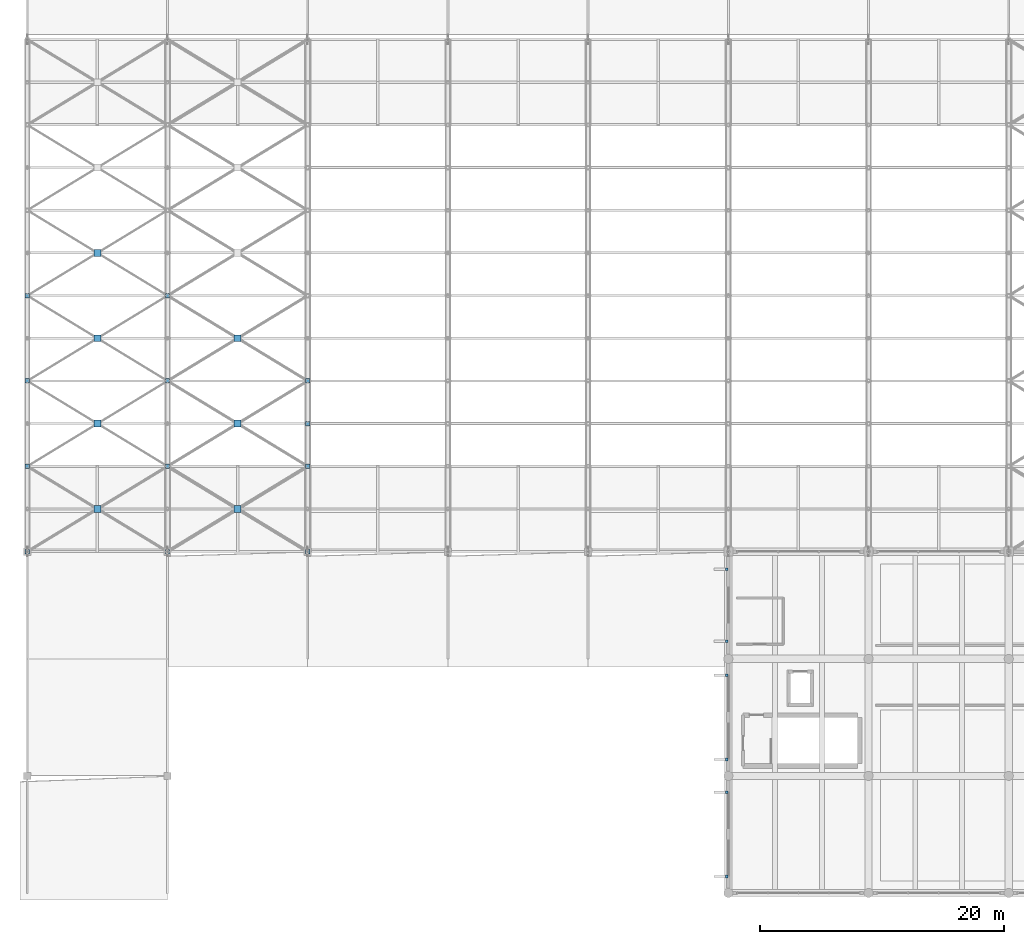
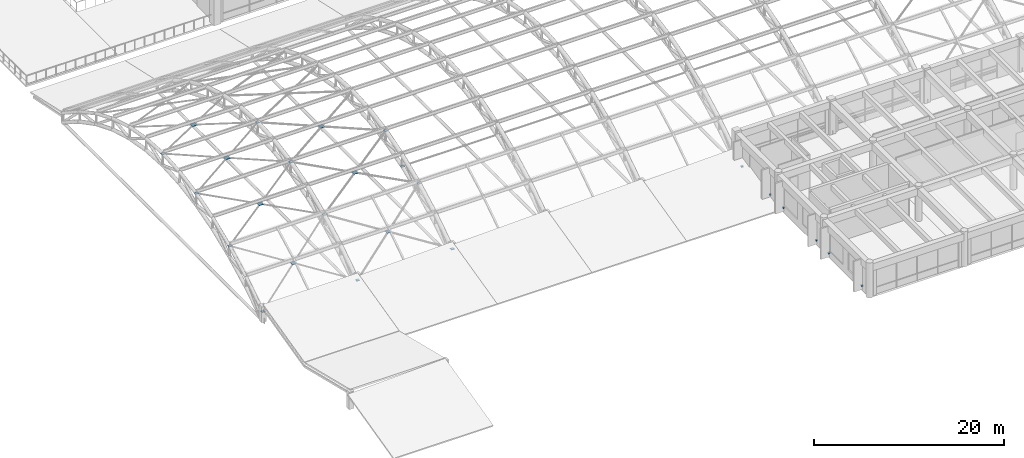
# One storey, part 144 of 154: 25 discrete accessories.
"""IFC4 building model written with IfcOpenShell, lengths in metres."""

from ifc_helpers import new_model, si_unit, direction, frame, origin, origin_2d, place, context, subcontext, project, spatial, rectangle, extrude, material, type_object, element, save


model = new_model("IFC4")

# Units and contexts
model_context = context("Model", 3, precision=1e-05, world=origin(), true_north=direction((0.0, 1.0)))
body_context = subcontext(model_context, "Body", "Model", "MODEL_VIEW")
ifc_project = project(units=[si_unit("LENGTHUNIT", "METRE"), si_unit("AREAUNIT", "SQUARE_METRE"), si_unit("VOLUMEUNIT", "CUBIC_METRE"), si_unit("PLANEANGLEUNIT", "RADIAN"), si_unit("MASSUNIT", "GRAM", prefix="KILO")], contexts=[model_context])

# Site, building, storey
site_placement = place(None, origin())
site = spatial("IfcSite", under=ifc_project, at=site_placement, CompositionType="ELEMENT")
building_placement = place(site_placement, origin())
building = spatial("IfcBuilding", under=site, at=building_placement, Name="Ologun Quay Terminus", CompositionType="ELEMENT")
storey_placement = place(building_placement, frame((0.0, 0.0, 13.800048828125)))
storey = spatial("IfcBuildingStorey", under=building, at=storey_placement, Name="L03", CompositionType="ELEMENT", Elevation=13.800048828125)

# Discrete accessories
ifc_material_1 = material(Name="Steel S355", Category="steel")
discrete_accessory_type_1 = type_object("IfcDiscreteAccessoryType", Name="Brace & Strut End Gusset Connection Plate 360x360x20", PredefinedType="BRACKET", material=ifc_material_1)
for number, where, z_axis, x_axis, name in (
    (1, (0.0, 36.0, 1.18994140625), (0.0, 0.0, 1.0), (1.0, 0.0, 0.0), "GUS-END Wind Brace End Gusset B1-K0-1"),
    (2, (11.5, 43.0, 5.36767578125), (0.0, 0.0, 1.0), (1.0, 0.0, 0.0), "GUS-END Wind Brace End Gusset B1-K0-2"),
    (3, (0.0, 43.0, 5.36767578125), (0.0, 0.0, 1.0), (1.0, 0.0, 0.0), "GUS-END Wind Brace End Gusset B1-K0-3"),
    (4, (11.5, 36.0, 1.18994140625), (0.0, 0.0, 1.0), (1.0, 0.0, 0.0), "GUS-END Wind Brace End Gusset B1-K0-4"),
    (5, (11.5, 50.0, 7.874267578125), (0.0, 0.0, 1.0), (1.0, 0.0, 0.0), "GUS-END Wind Brace End Gusset B1-K2-2"),
    (6, (0.0, 50.0, 7.874267578125), (0.0, 0.0, 1.0), (1.0, 0.0, 0.0), "GUS-END Wind Brace End Gusset B1-K2-3"),
    (7, (11.5, 57.0, 8.7099609375), (0.0, 0.0, 1.0), (1.0, 0.0, 0.0), "GUS-END Wind Brace End Gusset B1-K4-2"),
    (8, (0.0, 57.0, 8.7099609375), (0.0, 0.0, 1.0), (1.0, 0.0, 0.0), "GUS-END Wind Brace End Gusset B1-K4-3"),
    (9, (23.0, 43.0, 5.36767578125), (0.0, 0.0, 1.0), (1.0, 0.0, 0.0), "GUS-END Wind Brace End Gusset B2-K0-2"),
    (10, (23.0, 36.0, 1.18994140625), (0.0, 0.0, 1.0), (1.0, 0.0, 0.0), "GUS-END Wind Brace End Gusset B2-K0-4"),
    (11, (23.0, 50.0, 7.874267578125), (0.0, 0.0, 1.0), (1.0, 0.0, 0.0), "GUS-END Wind Brace End Gusset B2-K2-2"),
    (12, (23.0, 46.5, 5.419921875), (0.0, 0.0, 1.0), (1.0, 0.0, 0.0), "GUS-END Collector End Gusset B3-K3-W"),
):
    element("IfcDiscreteAccessory", number, at=place(storey_placement, frame(where, z_axis=z_axis, x_axis=x_axis)), inside=storey, type_object=discrete_accessory_type_1, Name=name, PredefinedType="BRACKET", context=body_context, shape_type="SweptSolid", body=[
        extrude(rectangle(XDim=0.360107421875, YDim=0.360107421875, at=origin_2d()), origin(), (0.0, 0.0, 1.0), 0.02001953125),
    ])
ifc_material_2 = material(Name="Steel S355", Category="steel")
discrete_accessory_type_2 = type_object("IfcDiscreteAccessoryType", Name="Solar Fin Stainless Support Bracket", PredefinedType="BRACKET", material=ifc_material_2)
for number, where, z_axis, x_axis, name in (
    (13, (57.360107421875, 9.344970703125, 0.52001953125), (0.0, 0.0, 1.0), (1.0, 0.0, 0.0), "BRK-01 Solar Fin Bracket WEW-SA-L03-1-16-1"),
    (14, (57.360107421875, 16.2548828125, 0.52001953125), (0.0, 0.0, 1.0), (1.0, 0.0, 0.0), "BRK-01 Solar Fin Bracket WEW-SA-L03-1-16-2"),
    (15, (57.360107421875, 18.945068359375, 0.52001953125), (0.0, 0.0, 1.0), (1.0, 0.0, 0.0), "BRK-01 Solar Fin Bracket WEW-SA-L03-1-17-1"),
    (16, (57.360107421875, 25.85498046875, 0.52001953125), (0.0, 0.0, 1.0), (1.0, 0.0, 0.0), "BRK-01 Solar Fin Bracket WEW-SA-L03-1-17-2"),
    (17, (57.360107421875, 28.64501953125, 0.52001953125), (0.0, 0.0, 1.0), (1.0, 0.0, 0.0), "BRK-01 Solar Fin Bracket WEW-SA-L03-1-18-1"),
    (18, (57.360107421875, 34.554931640625, 0.52001953125), (0.0, 0.0, 1.0), (1.0, 0.0, 0.0), "BRK-01 Solar Fin Bracket WEW-SA-L03-1-18-2"),
):
    element("IfcDiscreteAccessory", number, at=place(storey_placement, frame(where, z_axis=z_axis, x_axis=x_axis)), inside=storey, type_object=discrete_accessory_type_2, Name=name, PredefinedType="BRACKET", context=body_context, shape_type="SweptSolid", body=[
        extrude(rectangle(XDim=0.219970703125, YDim=0.219970703125, at=origin_2d()), origin(), (0.0, 0.0, 1.0), 0.159912109375),
    ])
ifc_material_3 = material(Name="Steel S355", Category="steel")
discrete_accessory_type_3 = type_object("IfcDiscreteAccessoryType", Name="X-Brace Central Gusset Node Plate 560x560x20", PredefinedType="BRACKET", material=ifc_material_3)
for number, where, z_axis, x_axis, name in (
    (19, (5.75, 39.5, 3.27880859375), (0.0, 0.0, 1.0), (1.0, 0.0, 0.0), "GUS-XB X-Brace Crossing Node Plate B1-K0"),
    (20, (5.75, 46.5, 6.62109375), (0.0, 0.0, 1.0), (1.0, 0.0, 0.0), "GUS-XB X-Brace Crossing Node Plate B1-K2"),
    (21, (5.75, 53.5, 8.292236328125), (0.0, 0.0, 1.0), (1.0, 0.0, 0.0), "GUS-XB X-Brace Crossing Node Plate B1-K4"),
    (22, (5.75, 60.5, 8.292236328125), (0.0, 0.0, 1.0), (1.0, 0.0, 0.0), "GUS-XB X-Brace Crossing Node Plate B1-K6"),
    (23, (17.25, 39.5, 3.27880859375), (0.0, 0.0, 1.0), (1.0, 0.0, 0.0), "GUS-XB X-Brace Crossing Node Plate B2-K0"),
    (24, (17.25, 46.5, 6.62109375), (0.0, 0.0, 1.0), (1.0, 0.0, 0.0), "GUS-XB X-Brace Crossing Node Plate B2-K2"),
    (25, (17.25, 53.5, 8.292236328125), (0.0, 0.0, 1.0), (1.0, 0.0, 0.0), "GUS-XB X-Brace Crossing Node Plate B2-K4"),
):
    element("IfcDiscreteAccessory", number, at=place(storey_placement, frame(where, z_axis=z_axis, x_axis=x_axis)), inside=storey, type_object=discrete_accessory_type_3, Name=name, PredefinedType="BRACKET", context=body_context, shape_type="SweptSolid", body=[
        extrude(rectangle(XDim=0.56005859375, YDim=0.56005859375, at=origin_2d()), origin(), (0.0, 0.0, 1.0), 0.02001953125),
    ])

save(model, "model.ifc")
